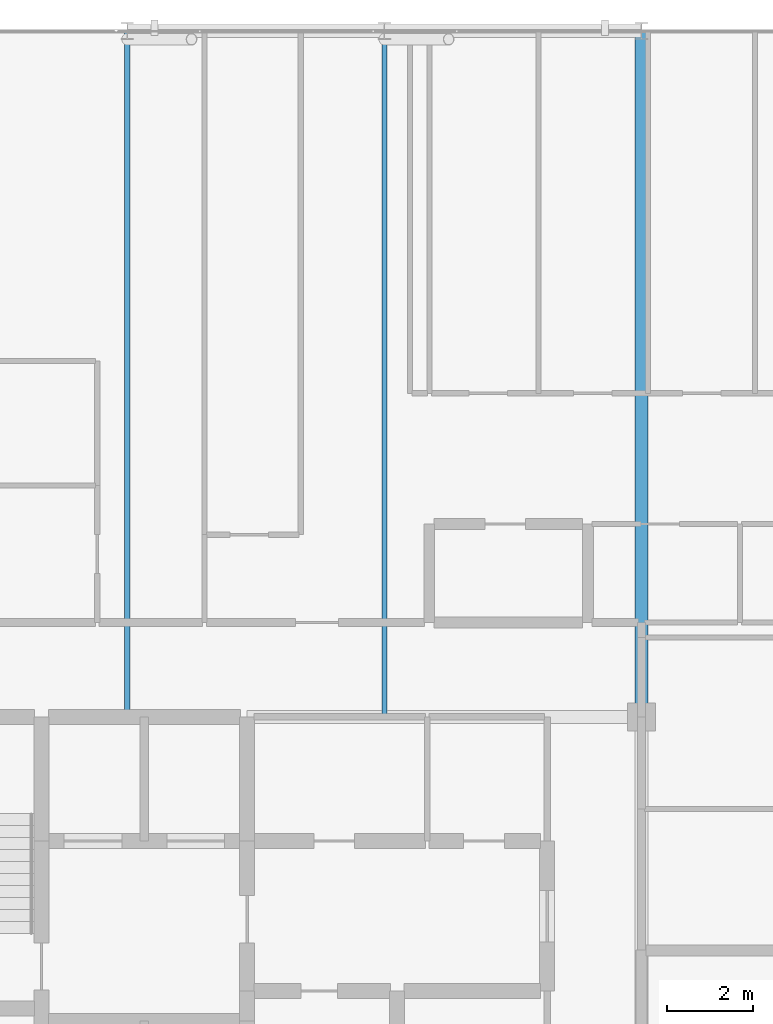
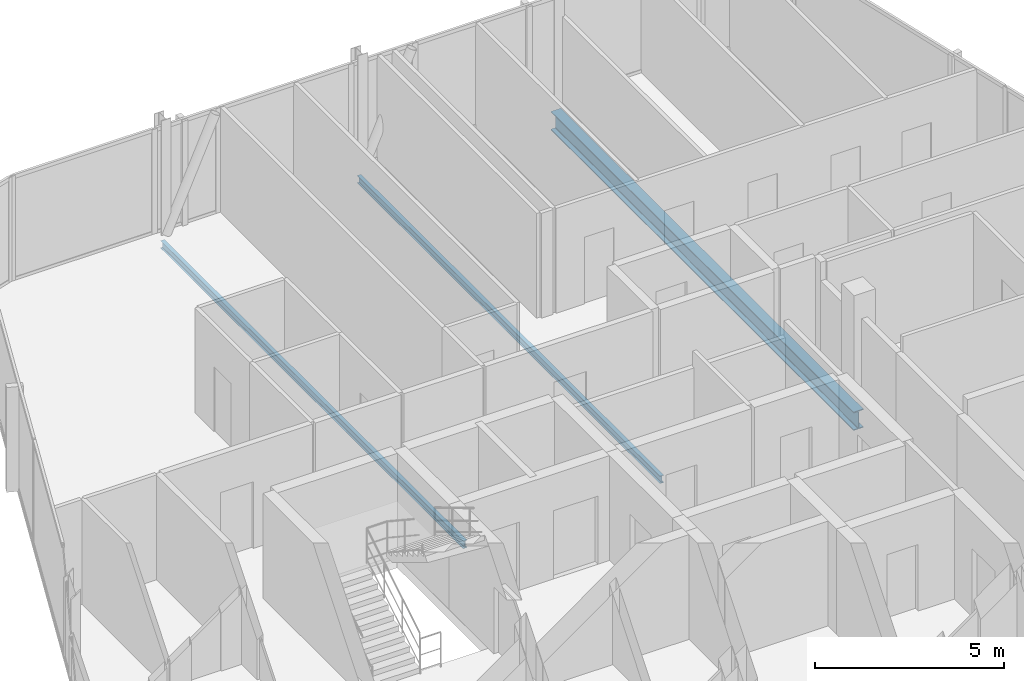
# One storey, part 16 of 27: 3 beams.
"""IFC4 building model written with IfcOpenShell, lengths in metres."""

from ifc_helpers import new_model, si_unit, direction, frame, origin, origin_2d, place, context, subcontext, project, spatial, i_section, extrude, material, material_profile, profile_set, type_object, element, save


model = new_model("IFC4")

# Units and contexts
model_context = context("Model", 3, precision=1e-05, world=origin(), true_north=direction((0.0, 1.0)))
body_context = subcontext(model_context, "Body", "Model", "MODEL_VIEW")
ifc_project = project(units=[si_unit("LENGTHUNIT", "METRE"), si_unit("AREAUNIT", "SQUARE_METRE"), si_unit("VOLUMEUNIT", "CUBIC_METRE"), si_unit("PLANEANGLEUNIT", "RADIAN"), si_unit("MASSUNIT", "GRAM", prefix="KILO")], contexts=[model_context])

# Site, building, storey
site_placement = place(None, origin())
site = spatial("IfcSite", under=ifc_project, at=site_placement, CompositionType="ELEMENT")
building_placement = place(site_placement, origin())
building = spatial("IfcBuilding", under=site, at=building_placement, Name="Keshet Zoharim Tower", CompositionType="ELEMENT")
storey_placement = place(building_placement, frame((0.0, 0.0, 295.39990234375)))
storey = spatial("IfcBuildingStorey", under=building, at=storey_placement, Name="L74", CompositionType="ELEMENT", Elevation=295.39990234375)

# Beams
ifc_material = material(Name="Steel S355", Category="steel")
ifc_material_profile_1 = material_profile(ifc_material, i_section(OverallWidth=0.1201171875, OverallDepth=0.239990234375, WebThickness=0.006103515625, FlangeThickness=0.009765625, FilletRadius=0.014892578125, at=origin_2d()), Name="IPE240")
ifc_profile_set_1 = profile_set([ifc_material_profile_1], Name="Steel S355")
beam_type_1 = type_object("IfcBeamType", Name="BM-JST-IP240", PredefinedType="JOIST", material=ifc_profile_set_1)
for number, where, z_axis, x_axis, name in (
    (1, (21.0, 37.89990234375, -0.429931640625), (0.0, 1.0, 0.0), (-1.0, 0.0, 0.0), "L74 Secondary Floor Joist J-001"),
    (2, (27.0, 37.89990234375, -0.429931640625), (0.0, 1.0, 0.0), (-1.0, 0.0, 0.0), "L74 Secondary Floor Joist J-002"),
):
    element("IfcBeam", number, at=place(storey_placement, frame(where, z_axis=z_axis, x_axis=x_axis)), inside=storey, type_object=beam_type_1, Name=name, PredefinedType="JOIST", context=body_context, shape_type="SweptSolid", body=[
        extrude(i_section(OverallWidth=0.1201171875, OverallDepth=0.239990234375, WebThickness=0.006103515625, FlangeThickness=0.009765625, FilletRadius=0.014892578125, at=origin_2d()), origin(), (0.0, 0.0, 1.0), 16.0),
    ])
ifc_material_profile_2 = material_profile(ifc_material, i_section(OverallWidth=0.300048828125, OverallDepth=0.60009765625, WebThickness=0.015380859375, FlangeThickness=0.030029296875, FilletRadius=0.027099609375, at=origin_2d()), Name="HEB600")
ifc_profile_set_2 = profile_set([ifc_material_profile_2], Name="Steel S355")
beam_type_2 = type_object("IfcBeamType", Name="BM-LNG-HB600", PredefinedType="BEAM", material=ifc_profile_set_2)
beam_placement = place(storey_placement, frame((33.0, 37.89990234375, -0.60986328125), z_axis=(0.0, 1.0, 0.0), x_axis=(-1.0, 0.0, 0.0)))
element("IfcBeam", 3, at=beam_placement, inside=storey, type_object=beam_type_2, Name="L74 Primary Girder Y-009", PredefinedType="BEAM", context=body_context, shape_type="SweptSolid", body=[
    extrude(i_section(OverallWidth=0.300048828125, OverallDepth=0.60009765625, WebThickness=0.015380859375, FlangeThickness=0.030029296875, FilletRadius=0.027099609375, at=origin_2d()), origin(), (0.0, 0.0, 1.0), 16.0),
])

save(model, "model.ifc")
